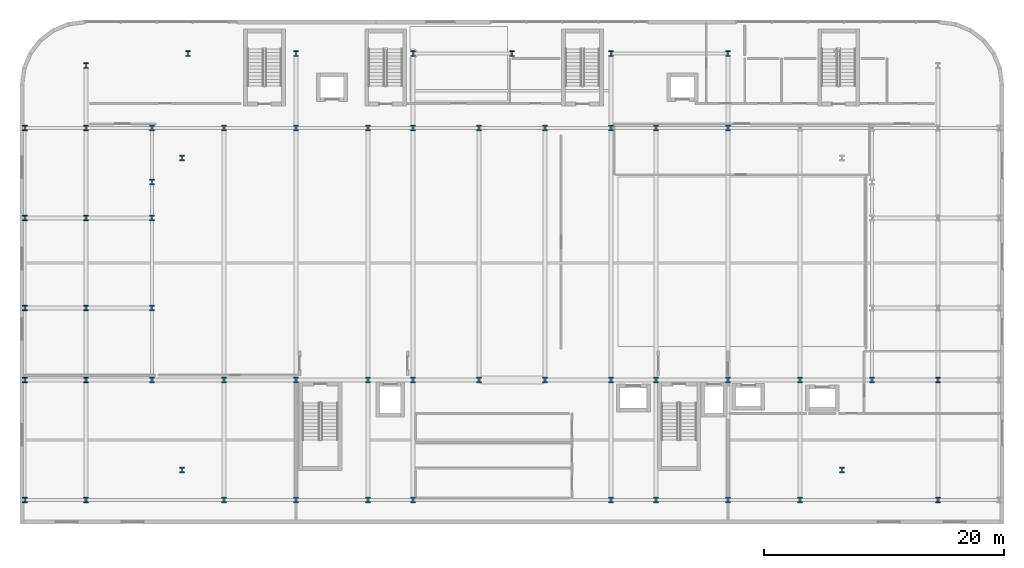
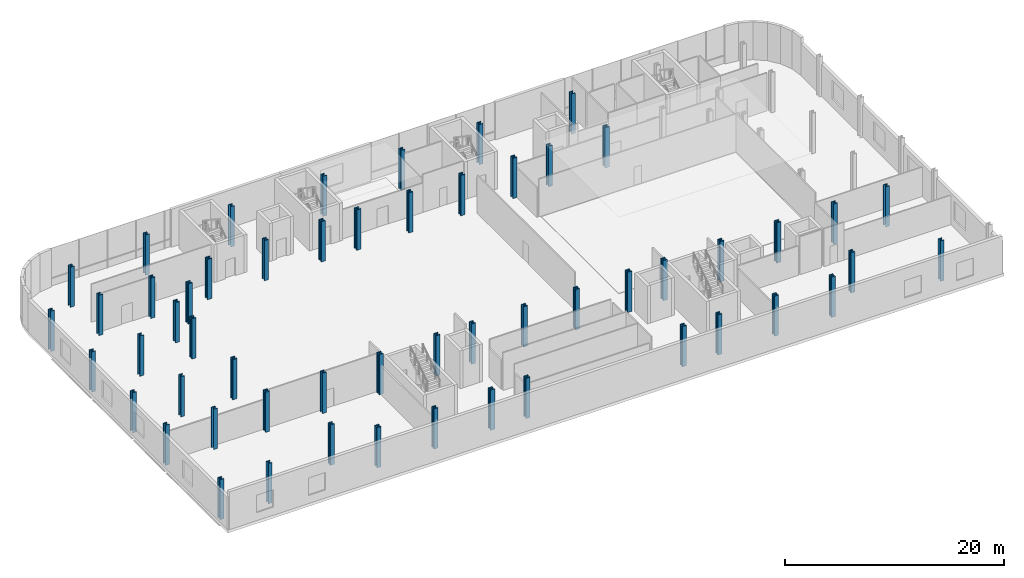
# One storey, part 1 of 25: 55 columns.
"""IFC4 building model written with IfcOpenShell, lengths in metres."""

from ifc_helpers import new_model, si_unit, direction, frame, origin, origin_2d, place, context, subcontext, project, spatial, i_section, extrude, material, material_profile, profile_set, type_object, element, save


model = new_model("IFC4")

# Units and contexts
model_context = context("Model", 3, precision=1e-05, world=origin(), true_north=direction((0.0, 1.0)))
body_context = subcontext(model_context, "Body", "Model", "MODEL_VIEW")
ifc_project = project(units=[si_unit("LENGTHUNIT", "METRE"), si_unit("AREAUNIT", "SQUARE_METRE"), si_unit("VOLUMEUNIT", "CUBIC_METRE"), si_unit("PLANEANGLEUNIT", "RADIAN"), si_unit("MASSUNIT", "GRAM", prefix="KILO")], contexts=[model_context])

# Site, building, storey
site_placement = place(None, origin())
site = spatial("IfcSite", under=ifc_project, at=site_placement, CompositionType="ELEMENT")
building_placement = place(site_placement, origin())
building = spatial("IfcBuilding", under=site, at=building_placement, Name="Brevholm Reach", CompositionType="ELEMENT")
storey_placement = place(building_placement, frame((0.0, 0.0, 4.5)))
storey = spatial("IfcBuildingStorey", under=building, at=storey_placement, Name="L01", CompositionType="ELEMENT", Elevation=4.5)

# Columns
ifc_material_1 = material(Name="Structural Steel S460ML", Category="steel")
ifc_material_profile_1 = material_profile(ifc_material_1, i_section(OverallWidth=0.427978515625, OverallDepth=0.468994140625, WebThickness=0.077880859375, FlangeThickness=0.125, FilletRadius=0.014892578125, at=origin_2d()), Name="HD 400x1086")
ifc_profile_set_1 = profile_set([ifc_material_profile_1], Name="Structural Steel S460ML")
column_type_1 = type_object("IfcColumnType", Name="COL-HD1", PredefinedType="COLUMN", material=ifc_profile_set_1)
for number, where, z_axis, x_axis, name in (
    (1, (0.0, 10.0, 0.0), (0.0, 0.0, 1.0), (1.0, 0.0, 0.0), "L01 Column 12"),
    (2, (0.0, 16.0, 0.0), (0.0, 0.0, 1.0), (1.0, 0.0, 0.0), "L01 Column 13"),
    (3, (0.0, 23.5, 0.0), (0.0, 0.0, 1.0), (1.0, 0.0, 0.0), "L01 Column 14"),
    (4, (0.0, 26.5, 0.0), (0.0, 0.0, 1.0), (1.0, 0.0, 0.0), "L01 Column 15"),
    (5, (0.0, 31.0, 0.0), (0.0, 0.0, 1.0), (1.0, 0.0, 0.0), "L01 Column 16"),
    (6, (2.5, 2.5, 0.0), (0.0, 0.0, 1.0), (1.0, 0.0, 0.0), "L01 Column 17"),
    (7, (2.5, 28.5, 0.0), (0.0, 0.0, 1.0), (1.0, 0.0, 0.0), "L01 Column 18"),
    (8, (6.0, 0.0, 0.0), (0.0, 0.0, 1.0), (1.0, 0.0, 0.0), "L01 Column 20"),
    (9, (6.0, 10.0, 0.0), (0.0, 0.0, 1.0), (1.0, 0.0, 0.0), "L01 Column 21"),
    (10, (6.0, 31.0, 0.0), (0.0, 0.0, 1.0), (1.0, 0.0, 0.0), "L01 Column 22"),
    (11, (12.0, 0.0, 0.0), (0.0, 0.0, 1.0), (1.0, 0.0, 0.0), "L01 Column 23"),
    (12, (12.0, 10.0, 0.0), (0.0, 0.0, 1.0), (1.0, 0.0, 0.0), "L01 Column 24"),
    (13, (12.0, 31.0, 0.0), (0.0, 0.0, 1.0), (1.0, 0.0, 0.0), "L01 Column 25"),
    (14, (18.0, 0.0, 0.0), (0.0, 0.0, 1.0), (1.0, 0.0, 0.0), "L01 Column 27"),
    (15, (18.0, 10.0, 0.0), (0.0, 0.0, 1.0), (1.0, 0.0, 0.0), "L01 Column 28"),
    (16, (18.0, 31.0, 0.0), (0.0, 0.0, 1.0), (1.0, 0.0, 0.0), "L01 Column 29"),
    (17, (21.75, 0.0, 0.0), (0.0, 0.0, 1.0), (1.0, 0.0, 0.0), "L01 Column 30"),
    (18, (21.75, 10.0, 0.0), (0.0, 0.0, 1.0), (1.0, 0.0, 0.0), "L01 Column 31"),
    (19, (21.75, 31.0, 0.0), (0.0, 0.0, 1.0), (1.0, 0.0, 0.0), "L01 Column 32"),
    (20, (27.25, 10.0, 0.0), (0.0, 0.0, 1.0), (1.0, 0.0, 0.0), "L01 Column 34"),
    (21, (27.25, 31.0, 0.0), (0.0, 0.0, 1.0), (1.0, 0.0, 0.0), "L01 Column 35"),
    (22, (32.75, 10.0, 0.0), (0.0, 0.0, 1.0), (1.0, 0.0, 0.0), "L01 Column 37"),
    (23, (32.75, 31.0, 0.0), (0.0, 0.0, 1.0), (1.0, 0.0, 0.0), "L01 Column 38"),
    (24, (38.25, 0.0, 0.0), (0.0, 0.0, 1.0), (1.0, 0.0, 0.0), "L01 Column 39"),
    (25, (38.25, 10.0, 0.0), (0.0, 0.0, 1.0), (1.0, 0.0, 0.0), "L01 Column 40"),
    (26, (38.25, 31.0, 0.0), (0.0, 0.0, 1.0), (1.0, 0.0, 0.0), "L01 Column 41"),
    (27, (42.0, 0.0, 0.0), (0.0, 0.0, 1.0), (1.0, 0.0, 0.0), "L01 Column 43"),
    (28, (42.0, 10.0, 0.0), (0.0, 0.0, 1.0), (1.0, 0.0, 0.0), "L01 Column 44"),
    (29, (42.0, 31.0, 0.0), (0.0, 0.0, 1.0), (1.0, 0.0, 0.0), "L01 Column 45"),
    (30, (48.0, 0.0, 0.0), (0.0, 0.0, 1.0), (1.0, 0.0, 0.0), "L01 Column 46"),
    (31, (48.0, 10.0, 0.0), (0.0, 0.0, 1.0), (1.0, 0.0, 0.0), "L01 Column 47"),
    (32, (48.0, 31.0, 0.0), (0.0, 0.0, 1.0), (1.0, 0.0, 0.0), "L01 Column 48"),
    (33, (54.0, 0.0, 0.0), (0.0, 0.0, 1.0), (1.0, 0.0, 0.0), "L01 Column 50"),
    (34, (54.0, 10.0, 0.0), (0.0, 0.0, 1.0), (1.0, 0.0, 0.0), "L01 Column 51"),
    (35, (57.5, 2.5, 0.0), (0.0, 0.0, 1.0), (1.0, 0.0, 0.0), "L01 Column 54"),
    (36, (60.0, 10.0, 0.0), (0.0, 0.0, 1.0), (1.0, 0.0, 0.0), "L01 Column 56"),
):
    element("IfcColumn", number, at=place(storey_placement, frame(where, z_axis=z_axis, x_axis=x_axis)), inside=storey, type_object=column_type_1, Name=name, PredefinedType="COLUMN", context=body_context, shape_type="SweptSolid", body=[
        extrude(i_section(OverallWidth=0.427978515625, OverallDepth=0.468994140625, WebThickness=0.077880859375, FlangeThickness=0.125, FilletRadius=0.014892578125, at=origin_2d()), origin(), (0.0, 0.0, 1.0), 4.5),
    ])
ifc_material_2 = material(Name="Structural Steel S460ML", Category="steel")
ifc_material_profile_2 = material_profile(ifc_material_2, i_section(OverallWidth=0.412109375, OverallDepth=0.4365234375, WebThickness=0.035888671875, FlangeThickness=0.05810546875, FilletRadius=0.01513671875, at=origin_2d()), Name="UKC 356x406x467")
ifc_profile_set_2 = profile_set([ifc_material_profile_2], Name="Structural Steel S460ML")
column_type_2 = type_object("IfcColumnType", Name="COL-UC3", PredefinedType="COLUMN", material=ifc_profile_set_2)
for number, where, z_axis, x_axis, name in (
    (37, (-10.60009765625, 0.0, 0.0), (0.0, 0.0, 1.0), (1.0, 0.0, 0.0), "L01 Column 01"),
    (38, (-10.60009765625, 10.0, 0.0), (0.0, 0.0, 1.0), (1.0, 0.0, 0.0), "L01 Column 02"),
    (39, (-10.60009765625, 16.0, 0.0), (0.0, 0.0, 1.0), (1.0, 0.0, 0.0), "L01 Column 03"),
    (40, (-10.60009765625, 23.5, 0.0), (0.0, 0.0, 1.0), (1.0, 0.0, 0.0), "L01 Column 04"),
    (41, (-10.60009765625, 31.0, 0.0), (0.0, 0.0, 1.0), (1.0, 0.0, 0.0), "L01 Column 05"),
    (42, (-5.5, 0.0, 0.0), (0.0, 0.0, 1.0), (1.0, 0.0, 0.0), "L01 Column 06"),
    (43, (-5.5, 10.0, 0.0), (0.0, 0.0, 1.0), (1.0, 0.0, 0.0), "L01 Column 07"),
    (44, (-5.5, 16.0, 0.0), (0.0, 0.0, 1.0), (1.0, 0.0, 0.0), "L01 Column 08"),
    (45, (-5.5, 23.5, 0.0), (0.0, 0.0, 1.0), (1.0, 0.0, 0.0), "L01 Column 09"),
    (46, (-5.5, 31.0, 0.0), (0.0, 0.0, 1.0), (1.0, 0.0, 0.0), "L01 Column 10"),
    (47, (-5.5, 36.199951171875, 0.0), (0.0, 0.0, 1.0), (1.0, 0.0, 0.0), "L01 Column 11"),
    (48, (3.0, 37.199951171875, 0.0), (0.0, 0.0, 1.0), (1.0, 0.0, 0.0), "L01 Column 19"),
    (49, (12.0, 37.199951171875, 0.0), (0.0, 0.0, 1.0), (1.0, 0.0, 0.0), "L01 Column 26"),
    (50, (21.75, 37.199951171875, 0.0), (0.0, 0.0, 1.0), (1.0, 0.0, 0.0), "L01 Column 33"),
    (51, (30.0, 37.199951171875, 0.0), (0.0, 0.0, 1.0), (1.0, 0.0, 0.0), "L01 Column 36"),
    (52, (38.25, 37.199951171875, 0.0), (0.0, 0.0, 1.0), (1.0, 0.0, 0.0), "L01 Column 42"),
    (53, (48.0, 37.199951171875, 0.0), (0.0, 0.0, 1.0), (1.0, 0.0, 0.0), "L01 Column 49"),
    (54, (65.5, 0.0, 0.0), (0.0, 0.0, 1.0), (1.0, 0.0, 0.0), "L01 Column 61"),
    (55, (65.5, 10.0, 0.0), (0.0, 0.0, 1.0), (1.0, 0.0, 0.0), "L01 Column 62"),
):
    element("IfcColumn", number, at=place(storey_placement, frame(where, z_axis=z_axis, x_axis=x_axis)), inside=storey, type_object=column_type_2, Name=name, PredefinedType="COLUMN", context=body_context, shape_type="SweptSolid", body=[
        extrude(i_section(OverallWidth=0.412109375, OverallDepth=0.4365234375, WebThickness=0.035888671875, FlangeThickness=0.05810546875, FilletRadius=0.01513671875, at=origin_2d()), origin(), (0.0, 0.0, 1.0), 4.5),
    ])

save(model, "model.ifc")
